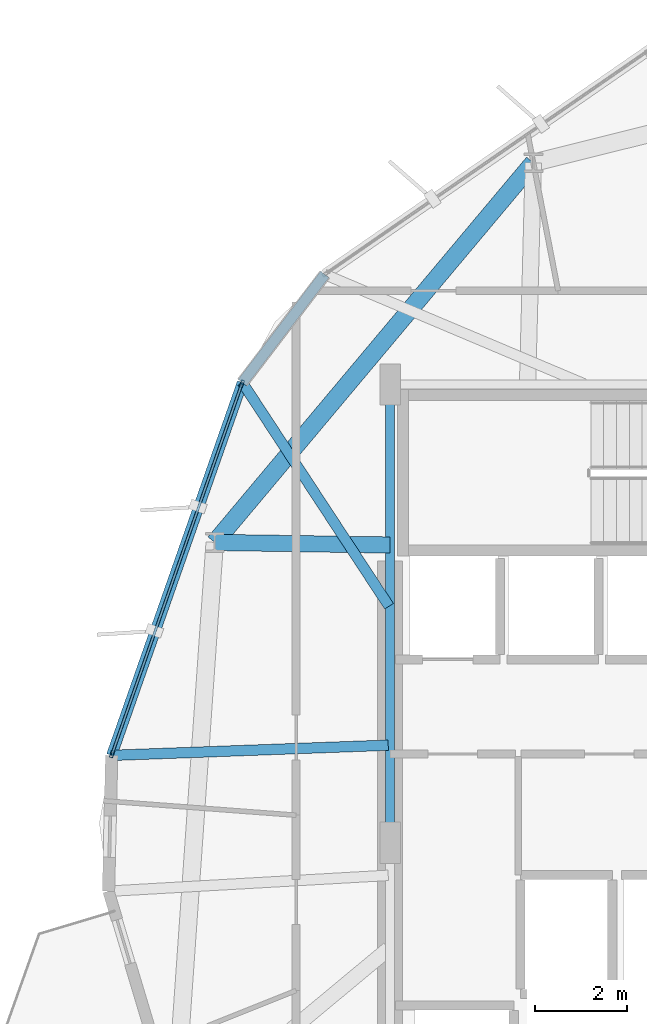
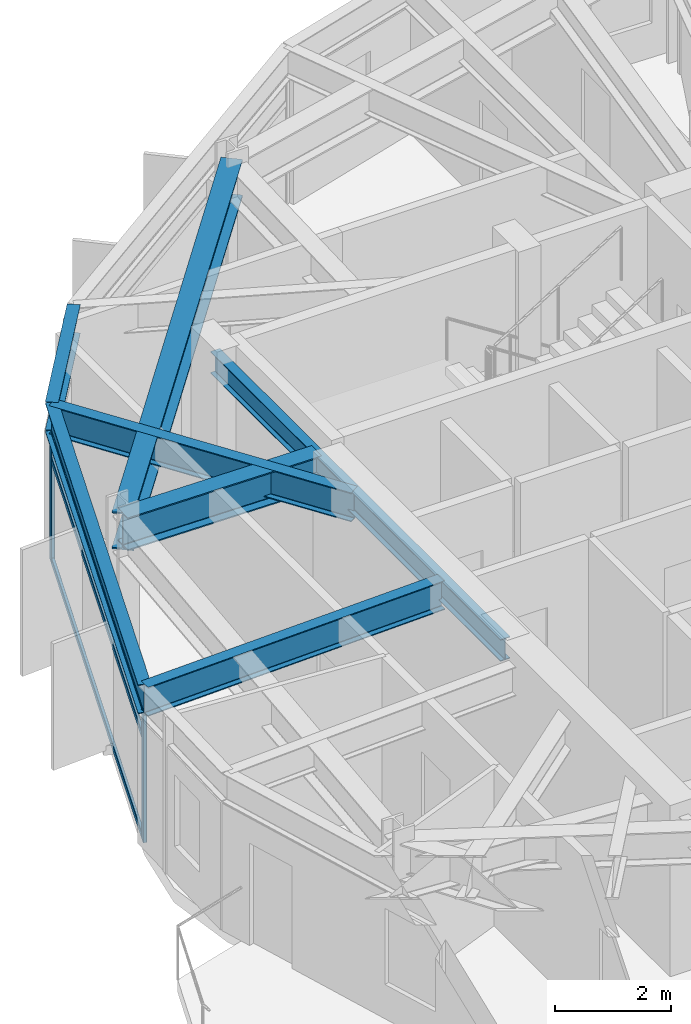
# One storey, part 6 of 22: 7 beams, 5 members, 1 element without a shape of its own.
"""IFC4 building model written with IfcOpenShell, lengths in metres."""

from ifc_helpers import new_model, si_unit, direction, frame, origin, origin_2d, place, context, subcontext, project, spatial, hollow_rectangle, i_section, extrude, material, layer, layer_set, material_profile, profile_set, type_object, element, aggregate, save


model = new_model("IFC4")

# Units and contexts
model_context = context("Model", 3, precision=1e-05, world=origin(), true_north=direction((0.0, 1.0)))
body_context = subcontext(model_context, "Body", "Model", "MODEL_VIEW")
ifc_project = project(units=[si_unit("LENGTHUNIT", "METRE"), si_unit("AREAUNIT", "SQUARE_METRE"), si_unit("VOLUMEUNIT", "CUBIC_METRE"), si_unit("PLANEANGLEUNIT", "RADIAN"), si_unit("MASSUNIT", "GRAM", prefix="KILO")], contexts=[model_context])

# Site, building, storey
site_placement = place(None, origin())
site = spatial("IfcSite", under=ifc_project, at=site_placement, CompositionType="ELEMENT")
building_placement = place(site_placement, origin())
building = spatial("IfcBuilding", under=site, at=building_placement, Name="Soratama Intermodal Tower", CompositionType="ELEMENT")
storey_placement = place(building_placement, frame((0.0, 0.0, 160.60009765625)))
storey = spatial("IfcBuildingStorey", under=building, at=storey_placement, Name="L39", CompositionType="ELEMENT", Elevation=160.60009765625)

# Beams
ifc_material_1 = material(Name="Structural steel ASTM A992 Grade 50", Category="steel")
ifc_material_profile_1 = material_profile(ifc_material_1, i_section(OverallWidth=0.19091796875, OverallDepth=0.4599609375, WebThickness=0.010009765625, FlangeThickness=0.01611328125, FilletRadius=0.010986328125, at=origin_2d()), Name="W18X55")
ifc_profile_set_1 = profile_set([ifc_material_profile_1], Name="Structural steel ASTM A992 Grade 50")
beam_type_1 = type_object("IfcBeamType", Name="BM-FLR-W18X55", PredefinedType="BEAM", material=ifc_profile_set_1)
beam_1_placement = place(storey_placement, frame((32.60009765625, 35.0, 3.06982421875), z_axis=(0.0, -1.0, 0.0), x_axis=(1.0, 0.0, 0.0)))
element("IfcBeam", 1, at=beam_1_placement, inside=storey, type_object=beam_type_1, Name="BM-L39-CRING-08", PredefinedType="BEAM", context=body_context, shape_type="SweptSolid", body=[
    extrude(i_section(OverallWidth=0.19091796875, OverallDepth=0.4599609375, WebThickness=0.010009765625, FlangeThickness=0.01611328125, FilletRadius=0.010986328125, at=origin_2d()), origin(), (0.0, 0.0, 1.0), 10.0),
])
ifc_material_2 = material(Name="Structural steel ASTM A992 Grade 50", Category="steel")
ifc_material_profile_2 = material_profile(ifc_material_2, i_section(OverallWidth=0.35498046875, OverallDepth=0.695068359375, WebThickness=0.015380859375, FlangeThickness=0.02490234375, FilletRadius=0.01611328125, at=origin_2d()), Name="W27X146")
ifc_profile_set_2 = profile_set([ifc_material_profile_2], Name="Structural steel ASTM A992 Grade 50")
beam_type_2 = type_object("IfcBeamType", Name="BM-RING-W27X146", PredefinedType="BEAM", material=ifc_profile_set_2)
beam_2_placement = place(storey_placement, frame((32.60009765625, 31.5, 2.952392578125), z_axis=(-0.999893261134, 0.014610487289, 0.0), x_axis=(-0.014610487289, -0.999893261134, 0.0)))
element("IfcBeam", 2, at=beam_2_placement, inside=storey, type_object=beam_type_2, Name="BM-L39-RAD-05", PredefinedType="BEAM", context=body_context, shape_type="SweptSolid", body=[
    extrude(i_section(OverallWidth=0.35498046875, OverallDepth=0.695068359375, WebThickness=0.015380859375, FlangeThickness=0.02490234375, FilletRadius=0.01611328125, at=origin_2d()), origin(), (0.0, 0.0, 1.0), 3.82666015625),
])
ifc_material_3 = material(Name="Structural steel ASTM A992 Grade 50", Category="steel")
ifc_material_profile_3 = material_profile(ifc_material_3, i_section(OverallWidth=0.382080078125, OverallDepth=0.779052734375, WebThickness=0.01806640625, FlangeThickness=0.030029296875, FilletRadius=0.01806640625, at=origin_2d()), Name="W30X191")
ifc_profile_set_3 = profile_set([ifc_material_profile_3], Name="Structural steel ASTM A992 Grade 50")
beam_type_3 = type_object("IfcBeamType", Name="BM-RING-W30X191", PredefinedType="BEAM", material=ifc_profile_set_3)
beam_3_placement = place(storey_placement, frame((35.72607421875, 39.841064453125, 2.910400390625), z_axis=(-0.642791781199, -0.766040942785, 0.0), x_axis=(0.766040942785, -0.642791781199, 0.0)))
element("IfcBeam", 3, at=beam_3_placement, inside=storey, type_object=beam_type_3, Name="BM-L39-RING-04", PredefinedType="BEAM", context=body_context, shape_type="SweptSolid", body=[
    extrude(i_section(OverallWidth=0.382080078125, OverallDepth=0.779052734375, WebThickness=0.01806640625, FlangeThickness=0.030029296875, FilletRadius=0.01806640625, at=origin_2d()), origin(), (0.0, 0.0, 1.0), 10.815673828125),
])
ifc_material_4 = material(Name="Structural steel ASTM A992 Grade 50", Category="steel")
ifc_material_profile_4 = material_profile(ifc_material_4, i_section(OverallWidth=0.22900390625, OverallDepth=0.612060546875, WebThickness=0.011962890625, FlangeThickness=0.01953125, FilletRadius=0.012939453125, at=origin_2d()), Name="W24X84")
ifc_profile_set_4 = profile_set([ifc_material_profile_4], Name="Structural steel ASTM A992 Grade 50")
beam_type_4 = type_object("IfcBeamType", Name="BM-SPN-W24X84", PredefinedType="SPANDREL", material=ifc_profile_set_4)
beam_4_placement = place(storey_placement, frame((31.175048828125, 37.405029296875, 2.993896484375), z_axis=(-0.606025860984, -0.795444942041, 0.0), x_axis=(0.795444942041, -0.606025860984, 0.0)))
element("IfcBeam", 4, at=beam_4_placement, inside=storey, type_object=beam_type_4, Name="BS-L39-CRN03", PredefinedType="SPANDREL", context=body_context, shape_type="SweptSolid", body=[
    extrude(i_section(OverallWidth=0.22900390625, OverallDepth=0.612060546875, WebThickness=0.011962890625, FlangeThickness=0.01953125, FilletRadius=0.012939453125, at=origin_2d()), origin(), (0.0, 0.0, 1.0), 2.967041015625),
])
beam_5_placement = place(storey_placement, frame((29.376953125, 35.044921875, 2.993896484375), z_axis=(-0.330911659609, -0.943661736818, 0.0), x_axis=(0.943661736818, -0.330911659609, 0.0)))
element("IfcBeam", 5, at=beam_5_placement, inside=storey, type_object=beam_type_4, Name="BS-L39-F04", PredefinedType="SPANDREL", context=body_context, shape_type="SweptSolid", body=[
    extrude(i_section(OverallWidth=0.22900390625, OverallDepth=0.612060546875, WebThickness=0.011962890625, FlangeThickness=0.01953125, FilletRadius=0.012939453125, at=origin_2d()), origin(), (0.0, 0.0, 1.0), 8.621826171875),
])
ifc_material_5 = material(Name="Structural steel ASTM A992 Grade 50", Category="steel")
ifc_material_profile_5 = material_profile(ifc_material_5, i_section(OverallWidth=0.22900390625, OverallDepth=0.612060546875, WebThickness=0.011962890625, FlangeThickness=0.01953125, FilletRadius=0.012939453125, at=origin_2d()), Name="W24X84")
ifc_profile_set_5 = profile_set([ifc_material_profile_5], Name="Structural steel ASTM A992 Grade 50")
beam_type_5 = type_object("IfcBeamType", Name="BM-TIE-W24X84", PredefinedType="BEAM", material=ifc_profile_set_5)
beam_6_placement = place(storey_placement, frame((32.577880859375, 30.1640625, 2.993896484375), z_axis=(-0.548400596985, 0.836215752797, 0.0), x_axis=(-0.836215752797, -0.548400596985, 0.0)))
element("IfcBeam", 6, at=beam_6_placement, inside=storey, type_object=beam_type_5, Name="BM-L39-TIE0-04", PredefinedType="BEAM", context=body_context, shape_type="SweptSolid", body=[
    extrude(i_section(OverallWidth=0.22900390625, OverallDepth=0.612060546875, WebThickness=0.011962890625, FlangeThickness=0.01953125, FilletRadius=0.012939453125, at=origin_2d()), origin(), (0.0, 0.0, 1.0), 5.8369140625),
])
beam_7_placement = place(storey_placement, frame((32.56005859375, 27.131103515625, 2.993896484375), z_axis=(-0.999323334029, -0.036781436417, 0.0), x_axis=(0.036781436417, -0.999323334029, 0.0)))
element("IfcBeam", 7, at=beam_7_placement, inside=storey, type_object=beam_type_5, Name="BM-L39-TIE1-04", PredefinedType="BEAM", context=body_context, shape_type="SweptSolid", body=[
    extrude(i_section(OverallWidth=0.22900390625, OverallDepth=0.612060546875, WebThickness=0.011962890625, FlangeThickness=0.01953125, FilletRadius=0.012939453125, at=origin_2d()), origin(), (0.0, 0.0, 1.0), 6.040283203125),
])

# Curtain wall, members
ifc_material_6 = material(Name="Double-glazed aluminium curtain wall", Category="aluminium")
ifc_layer = layer(ifc_material_6, 0.159912109375)
ifc_layer_set = layer_set([ifc_layer], Name="Double-glazed aluminium curtain wall")
curtain_wall_type = type_object("IfcCurtainWallType", Name="CW-SYS-4", PredefinedType="NOTDEFINED", material=ifc_layer_set)
curtain_wall_placement = place(storey_placement, origin())
curtain_wall = element("IfcCurtainWall", 8, at=curtain_wall_placement, inside=storey, type_object=curtain_wall_type, Name="L39 Faceted Curtain Wall F04", PredefinedType="NOTDEFINED")
ifc_material_7 = material(Name="Anodised aluminium AA 6063-T6", Category="aluminium")
ifc_material_profile_6 = material_profile(ifc_material_7, hollow_rectangle(XDim=0.070068359375, YDim=0.159912109375, WallThickness=0.0048828125, InnerFilletRadius=0.0048828125, OuterFilletRadius=0.010009765625, at=origin_2d()), Name="CWM160X70X5")
ifc_profile_set_6 = profile_set([ifc_material_profile_6], Name="Anodised aluminium AA 6063-T6")
member_type_1 = type_object("IfcMemberType", Name="MT-CWM-4", PredefinedType="MULLION", material=ifc_profile_set_6)
member_1_placement = place(storey_placement, frame((29.366455078125, 35.01708984375, 0.0), z_axis=(0.0, 0.0, 1.0), x_axis=(0.943684630386, -0.330846366721, 0.0)))
member_1 = element("IfcMember", 9, at=member_1_placement, type_object=member_type_1, Name="CW-4 mullion 1", PredefinedType="MULLION", context=body_context, shape_type="SweptSolid", body=[
    extrude(hollow_rectangle(XDim=0.070068359375, YDim=0.159912109375, WallThickness=0.0048828125, InnerFilletRadius=0.0048828125, OuterFilletRadius=0.010009765625, at=origin_2d()), origin(), (0.0, 0.0, 1.0), 2.678955078125),
])
member_2_placement = place(storey_placement, frame((26.533935546875, 26.937744140625, 0.0), z_axis=(0.0, 0.0, 1.0), x_axis=(0.943684630386, -0.330846366721, 0.0)))
member_2 = element("IfcMember", 10, at=member_2_placement, type_object=member_type_1, Name="CW-4 mullion 2", PredefinedType="MULLION", context=body_context, shape_type="SweptSolid", body=[
    extrude(hollow_rectangle(XDim=0.070068359375, YDim=0.159912109375, WallThickness=0.0048828125, InnerFilletRadius=0.0048828125, OuterFilletRadius=0.010009765625, at=origin_2d()), origin(), (0.0, 0.0, 1.0), 2.678955078125),
])
ifc_material_8 = material(Name="Anodised aluminium AA 6063-T6", Category="aluminium")
ifc_material_profile_7 = material_profile(ifc_material_8, hollow_rectangle(XDim=0.06005859375, YDim=0.1298828125, WallThickness=0.0048828125, InnerFilletRadius=0.0048828125, OuterFilletRadius=0.010009765625, at=origin_2d()), Name="CWT130X60X5")
ifc_profile_set_7 = profile_set([ifc_material_profile_7], Name="Anodised aluminium AA 6063-T6")
member_type_2 = type_object("IfcMemberType", Name="TT-CWT-2", PredefinedType="USERDEFINED", material=ifc_profile_set_7)
member_3_placement = place(storey_placement, frame((29.356689453125, 34.98876953125, 0.02978515625), z_axis=(-0.330853092156, -0.943682272489, 0.0), x_axis=(0.943682272489, -0.330853092156, 0.0)))
member_3 = element("IfcMember", 11, at=member_3_placement, type_object=member_type_2, Name="CW-4 transom 1.1", ObjectType="TRANSOM", PredefinedType="USERDEFINED", context=body_context, shape_type="SweptSolid", body=[
    extrude(hollow_rectangle(XDim=0.06005859375, YDim=0.1298828125, WallThickness=0.0048828125, InnerFilletRadius=0.0048828125, OuterFilletRadius=0.010009765625, at=origin_2d()), origin(), (0.0, 0.0, 1.0), 8.50146484375),
])
member_4_placement = place(storey_placement, frame((29.356689453125, 34.98876953125, 2.14990234375), z_axis=(-0.330853092156, -0.943682272489, 0.0), x_axis=(0.943682272489, -0.330853092156, 0.0)))
member_4 = element("IfcMember", 12, at=member_4_placement, type_object=member_type_2, Name="CW-4 transom 1.2", ObjectType="TRANSOM", PredefinedType="USERDEFINED", context=body_context, shape_type="SweptSolid", body=[
    extrude(hollow_rectangle(XDim=0.06005859375, YDim=0.1298828125, WallThickness=0.0048828125, InnerFilletRadius=0.0048828125, OuterFilletRadius=0.010009765625, at=origin_2d()), origin(), (0.0, 0.0, 1.0), 8.50146484375),
])
member_5_placement = place(storey_placement, frame((29.356689453125, 34.98876953125, 2.64892578125), z_axis=(-0.330853092156, -0.943682272489, 0.0), x_axis=(0.943682272489, -0.330853092156, 0.0)))
member_5 = element("IfcMember", 13, at=member_5_placement, type_object=member_type_2, Name="CW-4 transom 1.3", ObjectType="TRANSOM", PredefinedType="USERDEFINED", context=body_context, shape_type="SweptSolid", body=[
    extrude(hollow_rectangle(XDim=0.06005859375, YDim=0.1298828125, WallThickness=0.0048828125, InnerFilletRadius=0.0048828125, OuterFilletRadius=0.010009765625, at=origin_2d()), origin(), (0.0, 0.0, 1.0), 8.50146484375),
])
aggregate(curtain_wall, [member_1, member_2, member_3, member_4, member_5])

save(model, "model.ifc")
